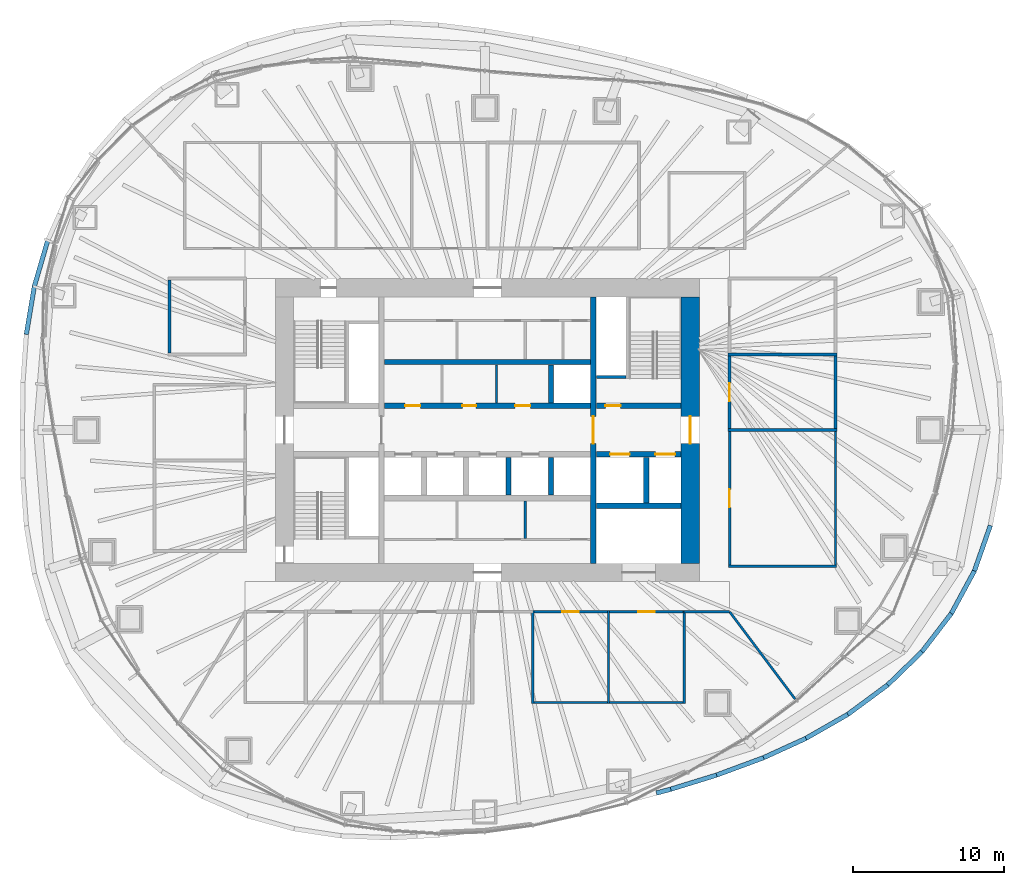
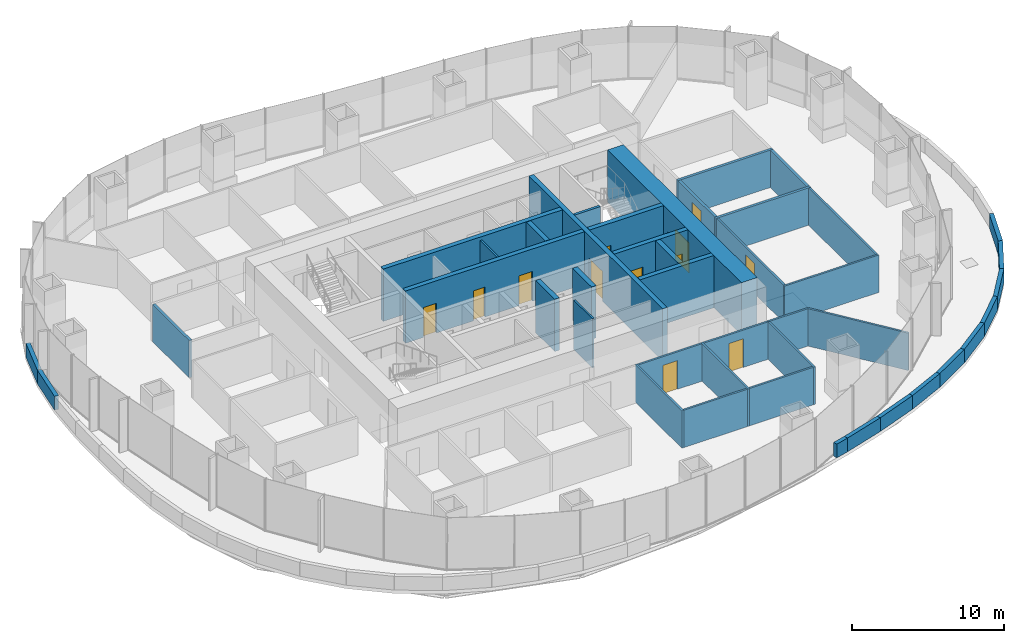
# One storey, part 10 of 20: 43 walls, 12 doors, 12 openings.
"""IFC4 building model written with IfcOpenShell, lengths in metres."""

import ifcopenshell
import ifcopenshell.guid

model = None  # the IFC model being written
_history = None  # IfcOwnerHistory: only IFC2X3 demands one
_inside = {}  # id of a spatial element -> (the spatial element, [elements in it])
_under = {}  # id of a project, library or spatial element -> (it, [spatial elements below it])
_declared = {}  # id of a project -> (the project, [libraries it declares])
_typed = {}  # id of a type object -> (the type object, [elements of that type])
_made_of = {}  # id of a material, layer set ... -> (it, [elements and type objects made of it])


def new_model(schema):
    """Start an empty IFC model of exactly this schema.

    Asked for "IFC4X3", IfcOpenShell would pick the latest addendum, in which some entities
    have other attributes; the version numbers below select the first issue.
    IFC2X3 requires an IfcOwnerHistory on every rooted entity: one is made here for all.
    """
    global model, _history
    if schema == "IFC4X3":
        model = ifcopenshell.file(schema_version=(4, 3, 0, 0))
    else:
        model = ifcopenshell.file(schema=schema)
    _inside.clear()
    _under.clear()
    _declared.clear()
    _typed.clear()
    _made_of.clear()
    _history = None
    if model.schema == "IFC2X3":
        org = make("IfcOrganization", Name="unknown")
        user = make(
            "IfcPersonAndOrganization",
            ThePerson=make("IfcPerson", FamilyName="unknown"),
            TheOrganization=org,
        )
        app = make(
            "IfcApplication",
            ApplicationDeveloper=org,
            Version="unknown",
            ApplicationFullName="unknown",
            ApplicationIdentifier="unknown",
        )
        _history = make(
            "IfcOwnerHistory",
            OwningUser=user,
            OwningApplication=app,
            ChangeAction="ADDED",
            CreationDate=0,
        )
    return model


def make(cls, **values):
    """One entity of the class cls with the attributes given. An attribute that is None is left unset."""
    return model.create_entity(
        cls, **{name: value for name, value in values.items() if value is not None}
    )


def rooted(cls, **values):
    """An entity with a GlobalId (a new one), such as an element, a storey or a relation."""
    return make(cls, GlobalId=ifcopenshell.guid.new(), OwnerHistory=_history, **values)


def si_unit(unit_type, name, prefix=None):
    """IfcSIUnit, for example si_unit("LENGTHUNIT", "METRE", prefix="MILLI")."""
    return make("IfcSIUnit", UnitType=unit_type, Prefix=prefix, Name=name)


def assignment(units):
    """IfcUnitAssignment: the units of a project."""
    return None if units is None else make("IfcUnitAssignment", Units=units)


def point(xyz):
    """IfcCartesianPoint."""
    return None if xyz is None else make("IfcCartesianPoint", Coordinates=xyz)


def direction(xyz):
    """IfcDirection."""
    return None if xyz is None else make("IfcDirection", DirectionRatios=xyz)


def frame(location, z_axis=None, x_axis=None):
    """IfcAxis2Placement3D, a coordinate frame: its origin and axes. An axis left out is left unset."""
    return make(
        "IfcAxis2Placement3D",
        Location=point(location),
        Axis=direction(z_axis),
        RefDirection=direction(x_axis),
    )


def frame_2d(location, x_axis=None):
    """IfcAxis2Placement2D, a coordinate frame in the plane: its origin and x axis."""
    return make(
        "IfcAxis2Placement2D", Location=point(location), RefDirection=direction(x_axis)
    )


def origin():
    """The frame at (0, 0, 0) with its axes left unset."""
    return frame((0.0, 0.0, 0.0))


def place(relative_to, where):
    """IfcLocalPlacement: puts the frame where relative to a parent placement (None: the world)."""
    return make(
        "IfcLocalPlacement", PlacementRelTo=relative_to, RelativePlacement=where
    )


def context(
    kind, dimensions, precision=None, world=None, true_north=None, identifier=None
):
    """IfcGeometricRepresentationContext, for example the 3D "Model" context."""
    return make(
        "IfcGeometricRepresentationContext",
        ContextIdentifier=identifier,
        ContextType=kind,
        CoordinateSpaceDimension=dimensions,
        Precision=precision,
        WorldCoordinateSystem=world,
        TrueNorth=true_north,
    )


def subcontext(parent, identifier, kind, view, scale=None):
    """IfcGeometricRepresentationSubContext, for example "Body" below "Model"."""
    return make(
        "IfcGeometricRepresentationSubContext",
        ContextIdentifier=identifier,
        ContextType=kind,
        ParentContext=parent,
        TargetScale=scale,
        TargetView=view,
    )


def project(units=None, contexts=None):
    """IfcProject with its units and contexts."""
    return rooted(
        "IfcProject",
        Name="project",
        RepresentationContexts=contexts,
        UnitsInContext=assignment(units),
    )


def spatial(cls, under=None, at=None, **own):
    """A site, building, storey or space (cls), placed at a placement, below another one or the project."""
    s = rooted(cls, ObjectPlacement=at, **own)
    if under is not None:
        _under.setdefault(under.id(), (under, []))[1].append(s)
    return s


def profile(cls, at=None, kind="AREA", **sizes):
    """A parametric profile (cls). Its sizes go by their IFC names, for example OverallWidth=200.0."""
    return make(cls, ProfileType=kind, Position=at, **sizes)


def rectangle(**sizes):
    """IfcRectangleProfileDef."""
    return profile("IfcRectangleProfileDef", **sizes)


def extrude(swept, where, along, depth):
    """IfcExtrudedAreaSolid: the profile swept, set in the frame where, extruded along a direction by depth."""
    return make(
        "IfcExtrudedAreaSolid",
        SweptArea=swept,
        Position=where,
        ExtrudedDirection=direction(along),
        Depth=depth,
    )


def shape(context_of_items, identifier, shape_type, items):
    """IfcShapeRepresentation: the items that make up one representation, for example the "Body"."""
    return make(
        "IfcShapeRepresentation",
        ContextOfItems=context_of_items,
        RepresentationIdentifier=identifier,
        RepresentationType=shape_type,
        Items=items,
    )


def material(Name=None, Category=None):
    """IfcMaterial."""
    return make("IfcMaterial", Name=Name, Category=Category)


def layer(
    of_material, thickness, ventilated=None, Name=None, Category=None, Priority=None
):
    """IfcMaterialLayer: one layer of a wall or slab, of a material (None: an air gap)."""
    return make(
        "IfcMaterialLayer",
        Material=of_material,
        LayerThickness=thickness,
        IsVentilated=ventilated,
        Name=Name,
        Category=Category,
        Priority=Priority,
    )


def layer_set(layers, Name=None):
    """IfcMaterialLayerSet."""
    return make("IfcMaterialLayerSet", MaterialLayers=layers, LayerSetName=Name)


def made_of(thing, what):
    """Note that an element or type object is made of a material, layer set ...; save() writes the relation."""
    if what is not None:
        _made_of.setdefault(what.id(), (what, []))[1].append(thing)
    return thing


def type_object(cls, material=None, **own):
    """A type object (cls), such as IfcWallType, which elements share."""
    return made_of(rooted(cls, **own), material)


def element(
    cls,
    number,
    at=None,
    inside=None,
    cuts=None,
    type_object=None,
    material=None,
    context=None,
    identifier="Body",
    shape_type=None,
    held_by="IfcProductDefinitionShape",
    body=None,
    shapes=None,
    **own,
):
    """One element of the class cls, such as IfcWall. Its Tag is "e" and its number.

    at: its placement. inside: the storey or other place that contains it. cuts: it is an
    opening in that element (IfcRelVoidsElement). A single representation is given by context,
    identifier, shape_type and body (its items); several are given by shapes. held_by: the class
    of the entity that holds the representations. save() writes the other relations.
    """
    e = rooted(cls, Tag="e%d" % number, ObjectPlacement=at, **own)
    if body is not None:
        shapes = [shape(context, identifier, shape_type, body)]
    if shapes is not None:
        e.Representation = make(held_by, Representations=shapes)
    if inside is not None:
        _inside.setdefault(inside.id(), (inside, []))[1].append(e)
    if cuts is not None:
        rooted(
            "IfcRelVoidsElement", RelatingBuildingElement=cuts, RelatedOpeningElement=e
        )
    if type_object is not None:
        _typed.setdefault(type_object.id(), (type_object, []))[1].append(e)
    return made_of(e, material)


def fill(opening, filler):
    """IfcRelFillsElement: the door or window that sits in an opening."""
    return rooted(
        "IfcRelFillsElement",
        RelatingOpeningElement=opening,
        RelatedBuildingElement=filler,
    )


def aggregate(whole, parts):
    """IfcRelAggregates: a whole, such as a stair, and the parts it consists of."""
    return rooted("IfcRelAggregates", RelatingObject=whole, RelatedObjects=parts)


def save(model, path):
    """Write the relations noted so far, then the file.

    IfcRelAggregates (storeys below a building ...), IfcRelContainedInSpatialStructure (elements
    in a storey), IfcRelDefinesByType, IfcRelAssociatesMaterial and IfcRelDeclares: one each for
    every whole, place, type object, material and project.
    """
    for whole, parts in _under.values():
        aggregate(whole, parts)
    for where, things in _inside.values():
        rooted(
            "IfcRelContainedInSpatialStructure",
            RelatedElements=things,
            RelatingStructure=where,
        )
    for kind, things in _typed.values():
        rooted("IfcRelDefinesByType", RelatedObjects=things, RelatingType=kind)
    for what, things in _made_of.values():
        rooted("IfcRelAssociatesMaterial", RelatedObjects=things, RelatingMaterial=what)
    for by, libraries in _declared.values():
        rooted("IfcRelDeclares", RelatingContext=by, RelatedDefinitions=libraries)
    model.write(path)


model = new_model("IFC4")

# Units and contexts
model_context = context("Model", 3, precision=1e-05, world=origin(), true_north=direction((0.0, 1.0)))
body_context = subcontext(model_context, "Body", "Model", "MODEL_VIEW")
ifc_project = project(units=[si_unit("LENGTHUNIT", "METRE"), si_unit("AREAUNIT", "SQUARE_METRE"), si_unit("VOLUMEUNIT", "CUBIC_METRE"), si_unit("PLANEANGLEUNIT", "RADIAN"), si_unit("MASSUNIT", "GRAM", prefix="KILO")], contexts=[model_context])

# Site, building, storey
site_placement = place(None, origin())
site = spatial("IfcSite", under=ifc_project, at=site_placement, CompositionType="ELEMENT")
building_placement = place(site_placement, origin())
building = spatial("IfcBuilding", under=site, at=building_placement, Name="Ghaith Harvest Tower", CompositionType="ELEMENT")
storey_placement = place(building_placement, frame((0.0, 0.0, 105.0)))
storey = spatial("IfcBuildingStorey", under=building, at=storey_placement, Name="L21", CompositionType="ELEMENT", Elevation=105.0)

# Walls
ifc_material_1 = material(Name="Twin-stud gypsum board, acoustic", Category="gypsum")
ifc_layer_1 = layer(ifc_material_1, 0.199951171875)
ifc_layer_set_1 = layer_set([ifc_layer_1], Name="ACOUSTIC PARTITION 200")
wall_type_1 = type_object("IfcWallType", Name="ACOUSTIC PARTITION 200", PredefinedType="PARTITIONING", material=ifc_layer_set_1)
for number, where, z_axis, x_axis, name in (
    (1, (15.89990234375, 0.0, 0.0), (0.0, 0.0, 1.0), (1.0, 0.0, 0.0), "Partition L21 row E3 cross wall 2"),
    (2, (15.89990234375, 5.0, 0.0), (0.0, 0.0, 1.0), (1.0, 0.0, 0.0), "Partition L21 row E3 cross wall 3"),
):
    element("IfcWall", number, at=place(storey_placement, frame(where, z_axis=z_axis, x_axis=x_axis)), inside=storey, type_object=wall_type_1, Name=name, PredefinedType="PARTITIONING", context=body_context, shape_type="SweptSolid", body=[
        extrude(rectangle(XDim=7.2001953125, YDim=0.199951171875, at=frame_2d((3.60009765625, 0.0))), origin(), (0.0, 0.0, 1.0), 3.0),
    ])

# Wall, opening, door
wall_1_placement = place(storey_placement, frame((16.0, 0.10009765625, 0.0), z_axis=(0.0, 0.0, 1.0), x_axis=(0.0, 1.0, 0.0)))
wall_1 = element("IfcWall", 3, at=wall_1_placement, inside=storey, type_object=wall_type_1, Name="Partition L21-08", PredefinedType="PARTITIONING", context=body_context, shape_type="SweptSolid", body=[
    extrude(rectangle(XDim=4.7998046875, YDim=0.199951171875, at=frame_2d((2.39990234375, 0.0))), origin(), (0.0, 0.0, 1.0), 3.0),
])
opening_1_placement = place(wall_1_placement, frame((1.800048828125, 0.0, 0.0)))
opening_1 = element("IfcOpeningElement", 4, at=opening_1_placement, cuts=wall_1, Name="Opening 21-034", PredefinedType="OPENING", context=body_context, shape_type="SweptSolid", body=[
    extrude(rectangle(XDim=1.199951171875, YDim=2.39990234375, at=frame_2d((0.60009765625, 1.199951171875))), frame((0.0, 0.10986328125, 0.0), z_axis=(0.0, -1.0, 0.0), x_axis=(1.0, 0.0, 0.0)), (0.0, 0.0, 1.0), 0.219970703125),
])
ifc_material_2 = material(Name="Timber door", Category="wood")
door_type_1 = type_object("IfcDoorType", Name="D11 GLAZED 1200x2400", OperationType="SINGLE_SWING_LEFT", PredefinedType="DOOR", material=ifc_material_2)
door_1_placement = place(opening_1_placement, origin())
door_1 = element("IfcDoor", 5, at=door_1_placement, inside=storey, type_object=door_type_1, Name="Meeting room door", OperationType="SINGLE_SWING_LEFT", OverallHeight=2.39990234375, OverallWidth=1.199951171875, PredefinedType="DOOR", context=body_context, shape_type="SweptSolid", body=[
    extrude(rectangle(XDim=1.199951171875, YDim=2.39990234375, at=frame_2d((0.60009765625, 1.199951171875))), frame((0.0, 0.02490234375, 0.0), z_axis=(0.0, -1.0, 0.0), x_axis=(1.0, 0.0, 0.0)), (0.0, 0.0, 1.0), 0.050048828125),
])
fill(opening_1, door_1)

# Walls
for number, where, z_axis, x_axis, name in (
    (6, (23.0, 0.10009765625, 0.0), (0.0, 0.0, 1.0), (0.0, 1.0, 0.0), "Partition L21-08"),
    (7, (-21.0, 5.10009765625, 0.0), (0.0, 0.0, 1.0), (0.0, 1.0, 0.0), "Partition L21-17"),
):
    element("IfcWall", number, at=place(storey_placement, frame(where, z_axis=z_axis, x_axis=x_axis)), inside=storey, type_object=wall_type_1, Name=name, PredefinedType="PARTITIONING", context=body_context, shape_type="SweptSolid", body=[
        extrude(rectangle(XDim=4.7998046875, YDim=0.199951171875, at=frame_2d((2.39990234375, 0.0))), origin(), (0.0, 0.0, 1.0), 3.0),
    ])
ifc_material_3 = material(Name="Concrete blockwork, fair-faced", Category="masonry")
ifc_layer_2 = layer(ifc_material_3, 0.139892578125)
ifc_layer_set_2 = layer_set([ifc_layer_2], Name="CORE PARTITION 140")
wall_type_2 = type_object("IfcWallType", Name="CORE PARTITION 140", PredefinedType="PARTITIONING", material=ifc_layer_set_2)
wall_2_placement = place(storey_placement, frame((2.5, -4.699951171875, 0.0), z_axis=(0.0, 0.0, 1.0), x_axis=(0.0, -1.0, 0.0)))
element("IfcWall", 8, at=wall_2_placement, inside=storey, type_object=wall_type_2, Name="Core partition L21", PredefinedType="PARTITIONING", context=body_context, shape_type="SweptSolid", body=[
    extrude(rectangle(XDim=2.4599609375, YDim=0.139892578125, at=frame_2d((1.22998046875, 0.0))), origin(), (0.0, 0.0, 1.0), 3.949951171875),
])
wall_3_placement = place(storey_placement, frame((0.60009765625, 1.800048828125, 0.0), z_axis=(0.0, 0.0, 1.0), x_axis=(0.0, 1.0, 0.0)))
element("IfcWall", 9, at=wall_3_placement, inside=storey, type_object=wall_type_2, Name="Core partition L21", PredefinedType="PARTITIONING", context=body_context, shape_type="SweptSolid", body=[
    extrude(rectangle(XDim=2.5, YDim=0.139892578125, at=frame_2d((1.25, 0.0))), origin(), (0.0, 0.0, 1.0), 3.949951171875),
])

# Wall, opening, door
ifc_material_4 = material(Name="Concrete C60/75", Category="concrete")
ifc_layer_3 = layer(ifc_material_4, 1.199951171875)
ifc_layer_set_3 = layer_set([ifc_layer_3], Name="CORE WALL CW1200 C60")
wall_type_3 = type_object("IfcWallType", Name="CORE WALL CW1200 C60", PredefinedType="SHEAR", material=ifc_layer_set_3)
wall_4_placement = place(storey_placement, frame((13.39990234375, -8.800048828125, 0.0), z_axis=(0.0, 0.0, 1.0), x_axis=(0.0, 1.0, 0.0)))
wall_4 = element("IfcWall", 10, at=wall_4_placement, inside=storey, type_object=wall_type_3, Name="Core wall E L21", PredefinedType="SHEAR", context=body_context, shape_type="SweptSolid", body=[
    extrude(rectangle(XDim=17.60009765625, YDim=1.199951171875, at=frame_2d((8.800048828125, 0.0))), origin(), (0.0, 0.0, 1.0), 4.199951171875),
])
opening_2_placement = place(wall_4_placement, frame((7.89990234375, 0.0, 0.0)))
opening_2 = element("IfcOpeningElement", 11, at=opening_2_placement, cuts=wall_4, Name="Opening 21-002", PredefinedType="OPENING", context=body_context, shape_type="SweptSolid", body=[
    extrude(rectangle(XDim=1.800048828125, YDim=2.39990234375, at=frame_2d((0.89990234375, 1.199951171875))), frame((0.0, 0.60986328125, 0.0), z_axis=(0.0, -1.0, 0.0), x_axis=(1.0, 0.0, 0.0)), (0.0, 0.0, 1.0), 1.219970703125),
])
ifc_material_5 = material(Name="Steel fire door", Category="steel")
door_type_2 = type_object("IfcDoorType", Name="D4 FD90 PAIR 1800x2400", OperationType="DOUBLE_DOOR_SINGLE_SWING", PredefinedType="DOOR", material=ifc_material_5)
door_2_placement = place(opening_2_placement, origin())
door_2 = element("IfcDoor", 12, at=door_2_placement, inside=storey, type_object=door_type_2, Name="Fire-fighting lobby doors", OperationType="DOUBLE_DOOR_SINGLE_SWING", OverallHeight=2.39990234375, OverallWidth=1.800048828125, PredefinedType="DOOR", context=body_context, shape_type="SweptSolid", body=[
    extrude(rectangle(XDim=1.800048828125, YDim=2.39990234375, at=frame_2d((0.89990234375, 1.199951171875))), frame((0.0, 0.02490234375, 0.0), z_axis=(0.0, -1.0, 0.0), x_axis=(1.0, 0.0, 0.0)), (0.0, 0.0, 1.0), 0.050048828125),
])
fill(opening_2, door_2)

# Walls
ifc_material_6 = material(Name="Concrete C40/50", Category="concrete")
ifc_layer_4 = layer(ifc_material_6, 0.300048828125)
ifc_layer_set_4 = layer_set([ifc_layer_4], Name="PARAPET 300")
wall_type_4 = type_object("IfcWallType", Name="PARAPET 300", PredefinedType="PARAPET", material=ifc_layer_set_4)
wall_5_placement = place(storey_placement, frame((-29.04443359375, 12.5283203125, 0.0), z_axis=(0.0, 0.0, 1.0), x_axis=(-0.279713048588, -0.960083647632, 0.0)))
element("IfcWall", 13, at=wall_5_placement, inside=storey, type_object=wall_type_4, Name="Parapet 09.3 L21", PredefinedType="PARAPET", context=body_context, shape_type="SweptSolid", body=[
    extrude(rectangle(XDim=3.169189453125, YDim=0.300048828125, at=frame_2d((1.58447265625, 0.0))), origin(), (0.0, 0.0, 1.0), 1.10009765625),
])
wall_6_placement = place(storey_placement, frame((-29.930908203125, 9.485595703125, 0.0), z_axis=(0.0, 0.0, 1.0), x_axis=(-0.164867792952, -0.986315675049, 0.0)))
element("IfcWall", 14, at=wall_6_placement, inside=storey, type_object=wall_type_4, Name="Parapet 10.1 L21", PredefinedType="PARAPET", context=body_context, shape_type="SweptSolid", body=[
    extrude(rectangle(XDim=3.208984375, YDim=0.300048828125, at=frame_2d((1.6044921875, 0.0))), origin(), (0.0, 0.0, 1.0), 1.10009765625),
])
wall_7_placement = place(storey_placement, frame((11.160400390625, -23.977783203125, 0.0), z_axis=(0.0, 0.0, 1.0), x_axis=(0.966230823198, 0.257678086577, 0.0)))
element("IfcWall", 15, at=wall_7_placement, inside=storey, type_object=wall_type_4, Name="Parapet 17.1 L21", PredefinedType="PARAPET", context=body_context, shape_type="SweptSolid", body=[
    extrude(rectangle(XDim=0.984375, YDim=0.300048828125, at=frame_2d((0.4921875, 0.0))), origin(), (0.0, 0.0, 1.0), 1.10009765625),
])
wall_8_placement = place(storey_placement, frame((12.111572265625, -23.72412109375, 0.0), z_axis=(0.0, 0.0, 1.0), x_axis=(0.955637225942, 0.294546248312, 0.0)))
element("IfcWall", 16, at=wall_8_placement, inside=storey, type_object=wall_type_4, Name="Parapet 17.2 L21", PredefinedType="PARAPET", context=body_context, shape_type="SweptSolid", body=[
    extrude(rectangle(XDim=3.1669921875, YDim=0.300048828125, at=frame_2d((1.58349609375, 0.0))), origin(), (0.0, 0.0, 1.0), 1.10009765625),
])
wall_9_placement = place(storey_placement, frame((15.13818359375, -22.791259765625, 0.0), z_axis=(0.0, 0.0, 1.0), x_axis=(0.937833090854, 0.347086579543, 0.0)))
element("IfcWall", 17, at=wall_9_placement, inside=storey, type_object=wall_type_4, Name="Parapet 17.3 L21", PredefinedType="PARAPET", context=body_context, shape_type="SweptSolid", body=[
    extrude(rectangle(XDim=3.316650390625, YDim=0.300048828125, at=frame_2d((1.658203125, 0.0))), origin(), (0.0, 0.0, 1.0), 1.10009765625),
])
wall_10_placement = place(storey_placement, frame((18.24853515625, -21.64013671875, 0.0), z_axis=(0.0, 0.0, 1.0), x_axis=(0.90970628911, 0.415252293858, 0.0)))
element("IfcWall", 18, at=wall_10_placement, inside=storey, type_object=wall_type_4, Name="Parapet 18.1 L21", PredefinedType="PARAPET", context=body_context, shape_type="SweptSolid", body=[
    extrude(rectangle(XDim=3.070068359375, YDim=0.300048828125, at=frame_2d((1.53515625, 0.0))), origin(), (0.0, 0.0, 1.0), 1.10009765625),
])
wall_11_placement = place(storey_placement, frame((21.04150390625, -20.365234375, 0.0), z_axis=(0.0, 0.0, 1.0), x_axis=(0.867530428681, 0.497384112444, 0.0)))
element("IfcWall", 19, at=wall_11_placement, inside=storey, type_object=wall_type_4, Name="Parapet 18.2 L21", PredefinedType="PARAPET", context=body_context, shape_type="SweptSolid", body=[
    extrude(rectangle(XDim=3.18701171875, YDim=0.300048828125, at=frame_2d((1.593505859375, 0.0))), origin(), (0.0, 0.0, 1.0), 1.10009765625),
])
wall_12_placement = place(storey_placement, frame((23.806396484375, -18.780029296875, 0.0), z_axis=(0.0, 0.0, 1.0), x_axis=(0.804406464576, 0.594079321091, 0.0)))
element("IfcWall", 20, at=wall_12_placement, inside=storey, type_object=wall_type_4, Name="Parapet 18.3 L21", PredefinedType="PARAPET", context=body_context, shape_type="SweptSolid", body=[
    extrude(rectangle(XDim=3.281494140625, YDim=0.300048828125, at=frame_2d((1.640625, 0.0))), origin(), (0.0, 0.0, 1.0), 1.10009765625),
])
wall_13_placement = place(storey_placement, frame((26.446044921875, -16.83056640625, 0.0), z_axis=(0.0, 0.0, 1.0), x_axis=(0.718226896914, 0.695808971306, 0.0)))
element("IfcWall", 21, at=wall_13_placement, inside=storey, type_object=wall_type_4, Name="Parapet 19.1 L21", PredefinedType="PARAPET", context=body_context, shape_type="SweptSolid", body=[
    extrude(rectangle(XDim=3.147216796875, YDim=0.300048828125, at=frame_2d((1.57373046875, 0.0))), origin(), (0.0, 0.0, 1.0), 1.10009765625),
])
wall_14_placement = place(storey_placement, frame((28.70654296875, -14.640625, 0.0), z_axis=(0.0, 0.0, 1.0), x_axis=(0.609113922619, 0.793082737974, 0.0)))
element("IfcWall", 22, at=wall_14_placement, inside=storey, type_object=wall_type_4, Name="Parapet 19.2 L21", PredefinedType="PARAPET", context=body_context, shape_type="SweptSolid", body=[
    extrude(rectangle(XDim=3.18359375, YDim=0.300048828125, at=frame_2d((1.591796875, 0.0))), origin(), (0.0, 0.0, 1.0), 1.10009765625),
])
wall_15_placement = place(storey_placement, frame((30.645751953125, -12.11572265625, 0.0), z_axis=(0.0, 0.0, 1.0), x_axis=(0.476977537346, 0.878915484485, 0.0)))
element("IfcWall", 23, at=wall_15_placement, inside=storey, type_object=wall_type_4, Name="Parapet 19.3 L21", PredefinedType="PARAPET", context=body_context, shape_type="SweptSolid", body=[
    extrude(rectangle(XDim=3.20458984375, YDim=0.300048828125, at=frame_2d((1.602294921875, 0.0))), origin(), (0.0, 0.0, 1.0), 1.10009765625),
])
wall_16_placement = place(storey_placement, frame((32.17431640625, -9.299072265625, 0.0), z_axis=(0.0, 0.0, 1.0), x_axis=(0.331036014353, 0.943618120429, 0.0)))
element("IfcWall", 24, at=wall_16_placement, inside=storey, type_object=wall_type_4, Name="Parapet 20.1 L21", PredefinedType="PARAPET", context=body_context, shape_type="SweptSolid", body=[
    extrude(rectangle(XDim=3.172119140625, YDim=0.300048828125, at=frame_2d((1.5859375, 0.0))), origin(), (0.0, 0.0, 1.0), 1.10009765625),
])
ifc_material_7 = material(Name="Gypsum board on steel studs", Category="steel")
ifc_layer_5 = layer(ifc_material_7, 0.14990234375)
ifc_layer_set_5 = layer_set([ifc_layer_5], Name="PARTITION 150")
wall_type_5 = type_object("IfcWallType", Name="PARTITION 150", PredefinedType="PARTITIONING", material=ifc_layer_set_5)
wall_17_placement = place(storey_placement, frame((15.925048828125, -9.0, 0.0), z_axis=(0.0, 0.0, 1.0), x_axis=(1.0, 0.0, 0.0)))
element("IfcWall", 25, at=wall_17_placement, inside=storey, type_object=wall_type_5, Name="Partition L21 row E3 cross wall 1", PredefinedType="PARTITIONING", context=body_context, shape_type="SweptSolid", body=[
    extrude(rectangle(XDim=7.14990234375, YDim=0.14990234375, at=frame_2d((3.574951171875, 0.0))), origin(), (0.0, 0.0, 1.0), 3.0),
])

# Wall, opening, door
wall_18_placement = place(storey_placement, frame((16.0, -8.925048828125, 0.0), z_axis=(0.0, 0.0, 1.0), x_axis=(0.0, 1.0, 0.0)))
wall_18 = element("IfcWall", 26, at=wall_18_placement, inside=storey, type_object=wall_type_5, Name="Partition L21-07", PredefinedType="PARTITIONING", context=body_context, shape_type="SweptSolid", body=[
    extrude(rectangle(XDim=8.824951171875, YDim=0.14990234375, at=frame_2d((4.41259765625, 0.0))), origin(), (0.0, 0.0, 1.0), 3.0),
])
opening_3_placement = place(wall_18_placement, frame((3.8125, 0.0, 0.0)))
opening_3 = element("IfcOpeningElement", 27, at=opening_3_placement, cuts=wall_18, Name="Opening 21-033", PredefinedType="OPENING", context=body_context, shape_type="SweptSolid", body=[
    extrude(rectangle(XDim=1.199951171875, YDim=2.39990234375, at=frame_2d((0.60009765625, 1.199951171875))), frame((0.0, 0.0849609375, 0.0), z_axis=(0.0, -1.0, 0.0), x_axis=(1.0, 0.0, 0.0)), (0.0, 0.0, 1.0), 0.169921875),
])
door_3_placement = place(opening_3_placement, origin())
door_3 = element("IfcDoor", 28, at=door_3_placement, inside=storey, type_object=door_type_1, Name="Reception room door", OperationType="SINGLE_SWING_LEFT", OverallHeight=2.39990234375, OverallWidth=1.199951171875, PredefinedType="DOOR", context=body_context, shape_type="SweptSolid", body=[
    extrude(rectangle(XDim=1.199951171875, YDim=2.39990234375, at=frame_2d((0.60009765625, 1.199951171875))), frame((0.0, 0.02490234375, 0.0), z_axis=(0.0, -1.0, 0.0), x_axis=(1.0, 0.0, 0.0)), (0.0, 0.0, 1.0), 0.050048828125),
])
fill(opening_3, door_3)

# Walls
wall_19_placement = place(storey_placement, frame((23.0, -8.925048828125, 0.0), z_axis=(0.0, 0.0, 1.0), x_axis=(0.0, 1.0, 0.0)))
element("IfcWall", 29, at=wall_19_placement, inside=storey, type_object=wall_type_5, Name="Partition L21-07", PredefinedType="PARTITIONING", context=body_context, shape_type="SweptSolid", body=[
    extrude(rectangle(XDim=8.824951171875, YDim=0.14990234375, at=frame_2d((4.41259765625, 0.0))), origin(), (0.0, 0.0, 1.0), 3.0),
])
for number, where, z_axis, x_axis, name in (
    (30, (3.0, -11.925048828125, 0.0), (0.0, 0.0, 1.0), (0.0, -1.0, 0.0), "Partition L21 row S5 cross wall 1"),
    (31, (8.0, -11.925048828125, 0.0), (0.0, 0.0, 1.0), (0.0, -1.0, 0.0), "Partition L21 row S5 cross wall 2"),
    (32, (13.0, -11.925048828125, 0.0), (0.0, 0.0, 1.0), (0.0, -1.0, 0.0), "Partition L21 row S5 cross wall 3"),
):
    element("IfcWall", number, at=place(storey_placement, frame(where, z_axis=z_axis, x_axis=x_axis)), inside=storey, type_object=wall_type_5, Name=name, PredefinedType="PARTITIONING", context=body_context, shape_type="SweptSolid", body=[
        extrude(rectangle(XDim=6.14990234375, YDim=0.14990234375, at=frame_2d((3.074951171875, 0.0))), origin(), (0.0, 0.0, 1.0), 3.0),
    ])

# Wall, opening, door
wall_20_placement = place(storey_placement, frame((3.074951171875, -12.0, 0.0), z_axis=(0.0, 0.0, 1.0), x_axis=(1.0, 0.0, 0.0)))
wall_20 = element("IfcWall", 33, at=wall_20_placement, inside=storey, type_object=wall_type_5, Name="Partition L21-13", PredefinedType="PARTITIONING", context=body_context, shape_type="SweptSolid", body=[
    extrude(rectangle(XDim=4.85009765625, YDim=0.14990234375, at=frame_2d((2.425048828125, 0.0))), origin(), (0.0, 0.0, 1.0), 3.0),
])
opening_4_placement = place(wall_20_placement, frame((1.875, 0.0, 0.0)))
opening_4 = element("IfcOpeningElement", 34, at=opening_4_placement, cuts=wall_20, Name="Opening 21-039", PredefinedType="OPENING", context=body_context, shape_type="SweptSolid", body=[
    extrude(rectangle(XDim=1.10009765625, YDim=2.300048828125, at=frame_2d((0.550048828125, 1.14990234375))), frame((0.0, 0.0849609375, 0.0), z_axis=(0.0, -1.0, 0.0), x_axis=(1.0, 0.0, 0.0)), (0.0, 0.0, 1.0), 0.169921875),
])
ifc_material_8 = material(Name="Timber-framed glazed door", Category="wood")
door_type_3 = type_object("IfcDoorType", Name="D12 GLAZED OFFICE 1100x2300", OperationType="SINGLE_SWING_LEFT", PredefinedType="DOOR", material=ifc_material_8)
door_4_placement = place(opening_4_placement, origin())
door_4 = element("IfcDoor", 35, at=door_4_placement, inside=storey, type_object=door_type_3, Name="Executive office door", OperationType="SINGLE_SWING_LEFT", OverallHeight=2.300048828125, OverallWidth=1.10009765625, PredefinedType="DOOR", context=body_context, shape_type="SweptSolid", body=[
    extrude(rectangle(XDim=1.10009765625, YDim=2.300048828125, at=frame_2d((0.550048828125, 1.14990234375))), frame((0.0, 0.02490234375, 0.0), z_axis=(0.0, -1.0, 0.0), x_axis=(1.0, 0.0, 0.0)), (0.0, 0.0, 1.0), 0.050048828125),
])
fill(opening_4, door_4)

# Wall
wall_21_placement = place(storey_placement, frame((3.074951171875, -18.0, 0.0), z_axis=(0.0, 0.0, 1.0), x_axis=(1.0, 0.0, 0.0)))
element("IfcWall", 36, at=wall_21_placement, inside=storey, type_object=wall_type_5, Name="Partition L21-13", PredefinedType="PARTITIONING", context=body_context, shape_type="SweptSolid", body=[
    extrude(rectangle(XDim=4.85009765625, YDim=0.14990234375, at=frame_2d((2.425048828125, 0.0))), origin(), (0.0, 0.0, 1.0), 3.0),
])

# Wall, opening, door
wall_22_placement = place(storey_placement, frame((8.074951171875, -12.0, 0.0), z_axis=(0.0, 0.0, 1.0), x_axis=(1.0, 0.0, 0.0)))
wall_22 = element("IfcWall", 37, at=wall_22_placement, inside=storey, type_object=wall_type_5, Name="Partition L21-14", PredefinedType="PARTITIONING", context=body_context, shape_type="SweptSolid", body=[
    extrude(rectangle(XDim=4.85009765625, YDim=0.14990234375, at=frame_2d((2.425048828125, 0.0))), origin(), (0.0, 0.0, 1.0), 3.0),
])
opening_5_placement = place(wall_22_placement, frame((1.875, 0.0, 0.0)))
opening_5 = element("IfcOpeningElement", 38, at=opening_5_placement, cuts=wall_22, Name="Opening 21-040", PredefinedType="OPENING", context=body_context, shape_type="SweptSolid", body=[
    extrude(rectangle(XDim=1.10009765625, YDim=2.300048828125, at=frame_2d((0.550048828125, 1.14990234375))), frame((0.0, 0.0849609375, 0.0), z_axis=(0.0, -1.0, 0.0), x_axis=(1.0, 0.0, 0.0)), (0.0, 0.0, 1.0), 0.169921875),
])
door_5_placement = place(opening_5_placement, origin())
door_5 = element("IfcDoor", 39, at=door_5_placement, inside=storey, type_object=door_type_3, Name="Executive office door", OperationType="SINGLE_SWING_LEFT", OverallHeight=2.300048828125, OverallWidth=1.10009765625, PredefinedType="DOOR", context=body_context, shape_type="SweptSolid", body=[
    extrude(rectangle(XDim=1.10009765625, YDim=2.300048828125, at=frame_2d((0.550048828125, 1.14990234375))), frame((0.0, 0.02490234375, 0.0), z_axis=(0.0, -1.0, 0.0), x_axis=(1.0, 0.0, 0.0)), (0.0, 0.0, 1.0), 0.050048828125),
])
fill(opening_5, door_5)

# Walls
wall_23_placement = place(storey_placement, frame((8.074951171875, -18.0, 0.0), z_axis=(0.0, 0.0, 1.0), x_axis=(1.0, 0.0, 0.0)))
element("IfcWall", 40, at=wall_23_placement, inside=storey, type_object=wall_type_5, Name="Partition L21-14", PredefinedType="PARTITIONING", context=body_context, shape_type="SweptSolid", body=[
    extrude(rectangle(XDim=4.85009765625, YDim=0.14990234375, at=frame_2d((2.425048828125, 0.0))), origin(), (0.0, 0.0, 1.0), 3.0),
])
wall_24_placement = place(storey_placement, frame((16.011962890625, -12.01611328125, 0.0), z_axis=(0.0, 0.0, 1.0), x_axis=(0.600059749679, -0.799955184254, 0.0)))
element("IfcWall", 41, at=wall_24_placement, inside=storey, type_object=wall_type_5, Name="Partition L21 zone division", PredefinedType="PARTITIONING", context=body_context, shape_type="SweptSolid", body=[
    extrude(rectangle(XDim=7.191162109375, YDim=0.14990234375, at=frame_2d((3.595703125, 0.0))), origin(), (0.0, 0.0, 1.0), 3.0),
])
wall_25_placement = place(storey_placement, frame((13.0, -12.0, 0.0), z_axis=(0.0, 0.0, 1.0), x_axis=(1.0, 0.0, 0.0)))
element("IfcWall", 42, at=wall_25_placement, inside=storey, type_object=wall_type_5, Name="Partition L21 zone enclosure", PredefinedType="PARTITIONING", context=body_context, shape_type="SweptSolid", body=[
    extrude(rectangle(XDim=3.0, YDim=0.14990234375, at=frame_2d((1.5, 0.0))), origin(), (0.0, 0.0, 1.0), 3.0),
])

# Wall, opening, door
ifc_material_9 = material(Name="Concrete C60/75", Category="concrete")
ifc_layer_6 = layer(ifc_material_9, 0.35009765625)
ifc_layer_set_6 = layer_set([ifc_layer_6], Name="SHAFT WALL 350")
wall_type_6 = type_object("IfcWallType", Name="SHAFT WALL 350", PredefinedType="SHEAR", material=ifc_layer_set_6)
wall_26_placement = place(storey_placement, frame((7.0, -8.800048828125, 0.0), z_axis=(0.0, 0.0, 1.0), x_axis=(0.0, 1.0, 0.0)))
wall_26 = element("IfcWall", 43, at=wall_26_placement, inside=storey, type_object=wall_type_6, Name="Shaft wall W7E L21", PredefinedType="SHEAR", context=body_context, shape_type="SweptSolid", body=[
    extrude(rectangle(XDim=17.60009765625, YDim=0.35009765625, at=frame_2d((8.800048828125, 0.0))), origin(), (0.0, 0.0, 1.0), 4.199951171875),
])
opening_6_placement = place(wall_26_placement, frame((7.89990234375, 0.0, 0.0)))
opening_6 = element("IfcOpeningElement", 44, at=opening_6_placement, cuts=wall_26, Name="Opening 21-004", PredefinedType="OPENING", context=body_context, shape_type="SweptSolid", body=[
    extrude(rectangle(XDim=1.800048828125, YDim=2.39990234375, at=frame_2d((0.89990234375, 1.199951171875))), frame((0.0, 0.18505859375, 0.0), z_axis=(0.0, -1.0, 0.0), x_axis=(1.0, 0.0, 0.0)), (0.0, 0.0, 1.0), 0.3701171875),
])
door_6_placement = place(opening_6_placement, origin())
door_6 = element("IfcDoor", 45, at=door_6_placement, inside=storey, type_object=door_type_2, Name="Lift lobby doors, east", OperationType="DOUBLE_DOOR_SINGLE_SWING", OverallHeight=2.39990234375, OverallWidth=1.800048828125, PredefinedType="DOOR", context=body_context, shape_type="SweptSolid", body=[
    extrude(rectangle(XDim=1.800048828125, YDim=2.39990234375, at=frame_2d((0.89990234375, 1.199951171875))), frame((0.0, 0.02490234375, 0.0), z_axis=(0.0, -1.0, 0.0), x_axis=(1.0, 0.0, 0.0)), (0.0, 0.0, 1.0), 0.050048828125),
])
fill(opening_6, door_6)

# Wall, openings, doors
wall_27_placement = place(storey_placement, frame((-6.800048828125, 1.60009765625, 0.0), z_axis=(0.0, 0.0, 1.0), x_axis=(1.0, 0.0, 0.0)))
wall_27 = element("IfcWall", 46, at=wall_27_placement, inside=storey, type_object=wall_type_6, Name="Shaft wall LN L21", PredefinedType="SHEAR", context=body_context, shape_type="SweptSolid", body=[
    extrude(rectangle(XDim=13.60009765625, YDim=0.35009765625, at=frame_2d((6.800048828125, 0.0))), origin(), (0.0, 0.0, 1.0), 4.199951171875),
])
opening_7_placement = place(wall_27_placement, frame((1.364990234375, 0.0, 0.0)))
opening_7 = element("IfcOpeningElement", 47, at=opening_7_placement, cuts=wall_27, Name="Opening 21-015", PredefinedType="OPENING", context=body_context, shape_type="SweptSolid", body=[
    extrude(rectangle(XDim=1.0, YDim=2.39990234375, at=frame_2d((0.5, 1.199951171875))), frame((0.0, 0.18505859375, 0.0), z_axis=(0.0, -1.0, 0.0), x_axis=(1.0, 0.0, 0.0)), (0.0, 0.0, 1.0), 0.3701171875),
])
opening_8_placement = place(wall_27_placement, frame((5.14990234375, 0.0, 0.0)))
opening_8 = element("IfcOpeningElement", 48, at=opening_8_placement, cuts=wall_27, Name="Opening 21-016", PredefinedType="OPENING", context=body_context, shape_type="SweptSolid", body=[
    extrude(rectangle(XDim=0.89990234375, YDim=2.39990234375, at=frame_2d((0.449951171875, 1.199951171875))), frame((0.0, 0.18505859375, 0.0), z_axis=(0.0, -1.0, 0.0), x_axis=(1.0, 0.0, 0.0)), (0.0, 0.0, 1.0), 0.3701171875),
])
opening_9_placement = place(wall_27_placement, frame((8.635009765625, 0.0, 0.0)))
opening_9 = element("IfcOpeningElement", 49, at=opening_9_placement, cuts=wall_27, Name="Opening 21-017", PredefinedType="OPENING", context=body_context, shape_type="SweptSolid", body=[
    extrude(rectangle(XDim=1.0, YDim=2.39990234375, at=frame_2d((0.5, 1.199951171875))), frame((0.0, 0.18505859375, 0.0), z_axis=(0.0, -1.0, 0.0), x_axis=(1.0, 0.0, 0.0)), (0.0, 0.0, 1.0), 0.3701171875),
])
ifc_material_10 = material(Name="Steel fire door", Category="steel")
door_type_4 = type_object("IfcDoorType", Name="D3 FD90 1000x2400", OperationType="SINGLE_SWING_LEFT", PredefinedType="DOOR", material=ifc_material_10)
door_7_placement = place(opening_7_placement, origin())
door_7 = element("IfcDoor", 50, at=door_7_placement, inside=storey, type_object=door_type_4, Name="Tea point door", OperationType="SINGLE_SWING_LEFT", OverallHeight=2.39990234375, OverallWidth=1.0, PredefinedType="DOOR", context=body_context, shape_type="SweptSolid", body=[
    extrude(rectangle(XDim=1.0, YDim=2.39990234375, at=frame_2d((0.5, 1.199951171875))), frame((0.0, 0.02490234375, 0.0), z_axis=(0.0, -1.0, 0.0), x_axis=(1.0, 0.0, 0.0)), (0.0, 0.0, 1.0), 0.050048828125),
])
fill(opening_7, door_7)
door_8_placement = place(opening_9_placement, origin())
door_8 = element("IfcDoor", 51, at=door_8_placement, inside=storey, type_object=door_type_4, Name="IT equipment room door", OperationType="SINGLE_SWING_RIGHT", OverallHeight=2.39990234375, OverallWidth=1.0, PredefinedType="DOOR", context=body_context, shape_type="SweptSolid", body=[
    extrude(rectangle(XDim=1.0, YDim=2.39990234375, at=frame_2d((0.5, 1.199951171875))), frame((0.0, 0.02490234375, 0.0), z_axis=(0.0, -1.0, 0.0), x_axis=(1.0, 0.0, 0.0)), (0.0, 0.0, 1.0), 0.050048828125),
])
fill(opening_9, door_8)
ifc_material_11 = material(Name="Steel fire door", Category="steel")
door_type_5 = type_object("IfcDoorType", Name="D5 FD90 900x2400", OperationType="SINGLE_SWING_LEFT", PredefinedType="DOOR", material=ifc_material_11)
door_9_placement = place(opening_8_placement, origin())
door_9 = element("IfcDoor", 52, at=door_9_placement, inside=storey, type_object=door_type_5, Name="Lobby store door", OperationType="SINGLE_SWING_LEFT", OverallHeight=2.39990234375, OverallWidth=0.89990234375, PredefinedType="DOOR", context=body_context, shape_type="SweptSolid", body=[
    extrude(rectangle(XDim=0.89990234375, YDim=2.39990234375, at=frame_2d((0.449951171875, 1.199951171875))), frame((0.0, 0.02490234375, 0.0), z_axis=(0.0, -1.0, 0.0), x_axis=(1.0, 0.0, 0.0)), (0.0, 0.0, 1.0), 0.050048828125),
])
fill(opening_8, door_9)

# Wall
wall_28_placement = place(storey_placement, frame((-6.800048828125, 4.5, 0.0), z_axis=(0.0, 0.0, 1.0), x_axis=(1.0, 0.0, 0.0)))
element("IfcWall", 53, at=wall_28_placement, inside=storey, type_object=wall_type_6, Name="Shaft wall BN L21", PredefinedType="SHEAR", context=body_context, shape_type="SweptSolid", body=[
    extrude(rectangle(XDim=13.60009765625, YDim=0.35009765625, at=frame_2d((6.800048828125, 0.0))), origin(), (0.0, 0.0, 1.0), 4.199951171875),
])

# Wall, opening, door
wall_29_placement = place(storey_placement, frame((7.199951171875, 1.60009765625, 0.0), z_axis=(0.0, 0.0, 1.0), x_axis=(1.0, 0.0, 0.0)))
wall_29 = element("IfcWall", 54, at=wall_29_placement, inside=storey, type_object=wall_type_6, Name="Shaft wall EN L21", PredefinedType="SHEAR", context=body_context, shape_type="SweptSolid", body=[
    extrude(rectangle(XDim=5.60009765625, YDim=0.35009765625, at=frame_2d((2.800048828125, 0.0))), origin(), (0.0, 0.0, 1.0), 4.199951171875),
])
opening_10_placement = place(wall_29_placement, frame((0.60009765625, 0.0, 0.0)))
opening_10 = element("IfcOpeningElement", 55, at=opening_10_placement, cuts=wall_29, Name="Opening 21-007", PredefinedType="OPENING", context=body_context, shape_type="SweptSolid", body=[
    extrude(rectangle(XDim=1.0, YDim=2.39990234375, at=frame_2d((0.5, 1.199951171875))), frame((0.0, 0.18505859375, 0.0), z_axis=(0.0, -1.0, 0.0), x_axis=(1.0, 0.0, 0.0)), (0.0, 0.0, 1.0), 0.3701171875),
])
door_10_placement = place(opening_10_placement, origin())
door_10 = element("IfcDoor", 56, at=door_10_placement, inside=storey, type_object=door_type_4, Name="Stair ST2 door", OperationType="SINGLE_SWING_LEFT", OverallHeight=2.39990234375, OverallWidth=1.0, PredefinedType="DOOR", context=body_context, shape_type="SweptSolid", body=[
    extrude(rectangle(XDim=1.0, YDim=2.39990234375, at=frame_2d((0.5, 1.199951171875))), frame((0.0, 0.02490234375, 0.0), z_axis=(0.0, -1.0, 0.0), x_axis=(1.0, 0.0, 0.0)), (0.0, 0.0, 1.0), 0.050048828125),
])
fill(opening_10, door_10)

# Wall, openings, doors
wall_30_placement = place(storey_placement, frame((7.199951171875, -1.60009765625, 0.0), z_axis=(0.0, 0.0, 1.0), x_axis=(1.0, 0.0, 0.0)))
wall_30 = element("IfcWall", 57, at=wall_30_placement, inside=storey, type_object=wall_type_6, Name="Shaft wall ES L21", PredefinedType="SHEAR", context=body_context, shape_type="SweptSolid", body=[
    extrude(rectangle(XDim=5.60009765625, YDim=0.35009765625, at=frame_2d((2.800048828125, 0.0))), origin(), (0.0, 0.0, 1.0), 4.199951171875),
])
opening_11_placement = place(wall_30_placement, frame((0.89990234375, 0.0, 0.0)))
opening_11 = element("IfcOpeningElement", 58, at=opening_11_placement, cuts=wall_30, Name="Opening 21-024", PredefinedType="OPENING", context=body_context, shape_type="SweptSolid", body=[
    extrude(rectangle(XDim=1.300048828125, YDim=2.39990234375, at=frame_2d((0.64990234375, 1.199951171875))), frame((0.0, 0.18505859375, 0.0), z_axis=(0.0, -1.0, 0.0), x_axis=(1.0, 0.0, 0.0)), (0.0, 0.0, 1.0), 0.3701171875),
])
opening_12_placement = place(wall_30_placement, frame((3.89990234375, 0.0, 0.0)))
opening_12 = element("IfcOpeningElement", 59, at=opening_12_placement, cuts=wall_30, Name="Opening 21-025", PredefinedType="OPENING", context=body_context, shape_type="SweptSolid", body=[
    extrude(rectangle(XDim=1.300048828125, YDim=2.39990234375, at=frame_2d((0.64990234375, 1.199951171875))), frame((0.0, 0.18505859375, 0.0), z_axis=(0.0, -1.0, 0.0), x_axis=(1.0, 0.0, 0.0)), (0.0, 0.0, 1.0), 0.3701171875),
])
ifc_material_12 = material(Name="Steel fire door", Category="steel")
door_type_6 = type_object("IfcDoorType", Name="LD2 LANDING 1300x2400", OperationType="DOUBLE_DOOR_SLIDING", PredefinedType="DOOR", material=ifc_material_12)
door_11_placement = place(opening_11_placement, origin())
door_11 = element("IfcDoor", 60, at=door_11_placement, inside=storey, type_object=door_type_6, Name="Landing door, fire service lift FL1", OperationType="DOUBLE_DOOR_SLIDING", OverallHeight=2.39990234375, OverallWidth=1.300048828125, PredefinedType="DOOR", context=body_context, shape_type="SweptSolid", body=[
    extrude(rectangle(XDim=1.300048828125, YDim=2.39990234375, at=frame_2d((0.64990234375, 1.199951171875))), frame((0.0, 0.02490234375, 0.0), z_axis=(0.0, -1.0, 0.0), x_axis=(1.0, 0.0, 0.0)), (0.0, 0.0, 1.0), 0.050048828125),
])
fill(opening_11, door_11)
door_12_placement = place(opening_12_placement, origin())
door_12 = element("IfcDoor", 61, at=door_12_placement, inside=storey, type_object=door_type_6, Name="Landing door, fire service lift FL2", OperationType="DOUBLE_DOOR_SLIDING", OverallHeight=2.39990234375, OverallWidth=1.300048828125, PredefinedType="DOOR", context=body_context, shape_type="SweptSolid", body=[
    extrude(rectangle(XDim=1.300048828125, YDim=2.39990234375, at=frame_2d((0.64990234375, 1.199951171875))), frame((0.0, 0.02490234375, 0.0), z_axis=(0.0, -1.0, 0.0), x_axis=(1.0, 0.0, 0.0)), (0.0, 0.0, 1.0), 0.050048828125),
])
fill(opening_12, door_12)

# Walls
wall_31_placement = place(storey_placement, frame((10.5, -4.800048828125, 0.0), z_axis=(0.0, 0.0, 1.0), x_axis=(0.0, 1.0, 0.0)))
element("IfcWall", 62, at=wall_31_placement, inside=storey, type_object=wall_type_6, Name="Shaft wall FLD L21", PredefinedType="SHEAR", context=body_context, shape_type="SweptSolid", body=[
    extrude(rectangle(XDim=3.0, YDim=0.35009765625, at=frame_2d((1.5, 0.0))), origin(), (0.0, 0.0, 1.0), 4.199951171875),
])
wall_32_placement = place(storey_placement, frame((7.199951171875, -5.0, 0.0), z_axis=(0.0, 0.0, 1.0), x_axis=(1.0, 0.0, 0.0)))
element("IfcWall", 63, at=wall_32_placement, inside=storey, type_object=wall_type_6, Name="Shaft wall FLB L21", PredefinedType="SHEAR", context=body_context, shape_type="SweptSolid", body=[
    extrude(rectangle(XDim=5.60009765625, YDim=0.35009765625, at=frame_2d((2.800048828125, 0.0))), origin(), (0.0, 0.0, 1.0), 4.199951171875),
])
for number, where, z_axis, x_axis, name in (
    (64, (1.39990234375, -4.300048828125, 0.0), (0.0, 0.0, 1.0), (0.0, 1.0, 0.0), "Shaft wall DS3 L21"),
    (65, (4.199951171875, 1.800048828125, 0.0), (0.0, 0.0, 1.0), (0.0, 1.0, 0.0), "Shaft wall DN4 L21"),
    (66, (4.199951171875, -4.300048828125, 0.0), (0.0, 0.0, 1.0), (0.0, 1.0, 0.0), "Shaft wall DS4 L21"),
):
    element("IfcWall", number, at=place(storey_placement, frame(where, z_axis=z_axis, x_axis=x_axis)), inside=storey, type_object=wall_type_6, Name=name, PredefinedType="SHEAR", context=body_context, shape_type="SweptSolid", body=[
        extrude(rectangle(XDim=2.5, YDim=0.35009765625, at=frame_2d((1.25, 0.0))), origin(), (0.0, 0.0, 1.0), 4.199951171875),
    ])
ifc_material_13 = material(Name="Concrete C40/50", Category="concrete")
ifc_layer_7 = layer(ifc_material_13, 0.199951171875)
ifc_layer_set_7 = layer_set([ifc_layer_7], Name="STAIR SPINE WALL RC200")
wall_type_7 = type_object("IfcWallType", Name="STAIR SPINE WALL RC200", PredefinedType="SOLIDWALL", material=ifc_layer_set_7)
wall_33_placement = place(storey_placement, frame((9.14990234375, 3.5, 0.0), z_axis=(0.0, 0.0, 1.0), x_axis=(-1.0, 0.0, 0.0)))
element("IfcWall", 67, at=wall_33_placement, inside=storey, type_object=wall_type_7, Name="Stair ST2 spine wall return L21", PredefinedType="SOLIDWALL", context=body_context, shape_type="SweptSolid", body=[
    extrude(rectangle(XDim=1.949951171875, YDim=0.199951171875, at=frame_2d((0.97509765625, 0.0))), origin(), (0.0, 0.0, 1.0), 4.199951171875),
])

save(model, "model.ifc")
